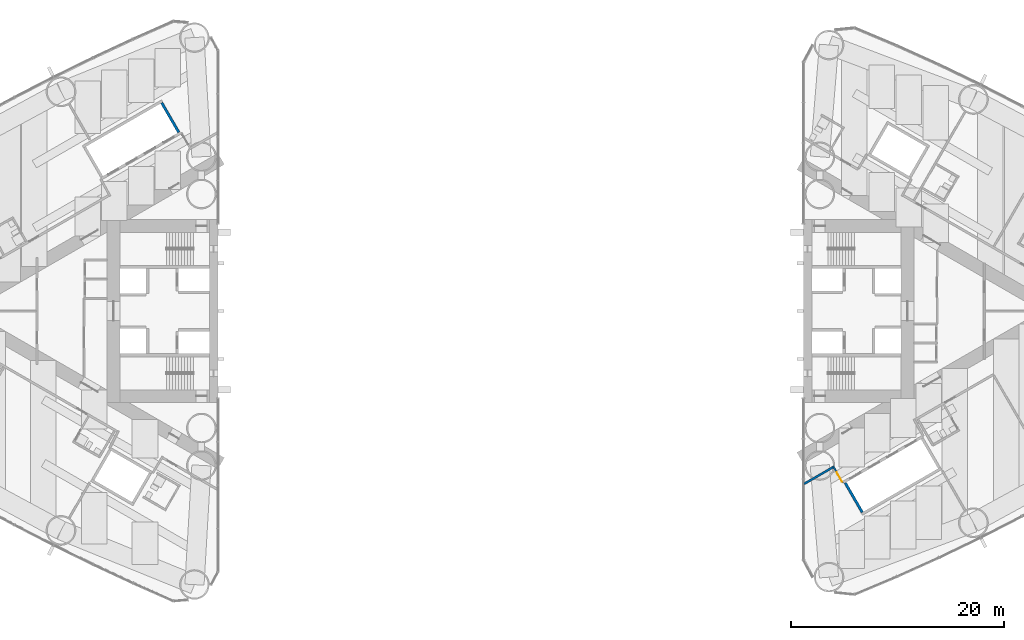
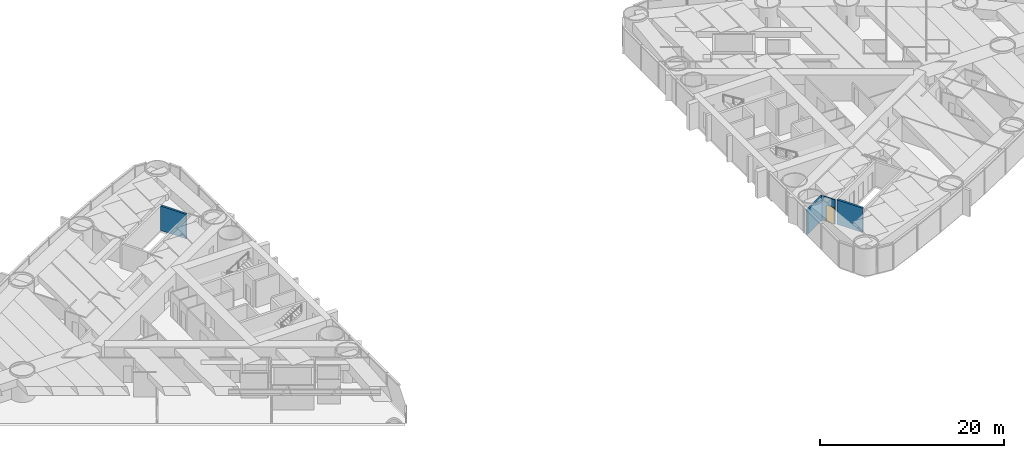
# One storey, part 13 of 19: 4 walls, 1 door, 1 opening.
"""IFC4 building model written with IfcOpenShell, lengths in metres."""

import ifcopenshell
import ifcopenshell.guid

model = None  # the IFC model being written
_history = None  # IfcOwnerHistory: only IFC2X3 demands one
_inside = {}  # id of a spatial element -> (the spatial element, [elements in it])
_under = {}  # id of a project, library or spatial element -> (it, [spatial elements below it])
_declared = {}  # id of a project -> (the project, [libraries it declares])
_typed = {}  # id of a type object -> (the type object, [elements of that type])
_made_of = {}  # id of a material, layer set ... -> (it, [elements and type objects made of it])


def new_model(schema):
    """Start an empty IFC model of exactly this schema.

    Asked for "IFC4X3", IfcOpenShell would pick the latest addendum, in which some entities
    have other attributes; the version numbers below select the first issue.
    IFC2X3 requires an IfcOwnerHistory on every rooted entity: one is made here for all.
    """
    global model, _history
    if schema == "IFC4X3":
        model = ifcopenshell.file(schema_version=(4, 3, 0, 0))
    else:
        model = ifcopenshell.file(schema=schema)
    _inside.clear()
    _under.clear()
    _declared.clear()
    _typed.clear()
    _made_of.clear()
    _history = None
    if model.schema == "IFC2X3":
        org = make("IfcOrganization", Name="unknown")
        user = make(
            "IfcPersonAndOrganization",
            ThePerson=make("IfcPerson", FamilyName="unknown"),
            TheOrganization=org,
        )
        app = make(
            "IfcApplication",
            ApplicationDeveloper=org,
            Version="unknown",
            ApplicationFullName="unknown",
            ApplicationIdentifier="unknown",
        )
        _history = make(
            "IfcOwnerHistory",
            OwningUser=user,
            OwningApplication=app,
            ChangeAction="ADDED",
            CreationDate=0,
        )
    return model


def make(cls, **values):
    """One entity of the class cls with the attributes given. An attribute that is None is left unset."""
    return model.create_entity(
        cls, **{name: value for name, value in values.items() if value is not None}
    )


def rooted(cls, **values):
    """An entity with a GlobalId (a new one), such as an element, a storey or a relation."""
    return make(cls, GlobalId=ifcopenshell.guid.new(), OwnerHistory=_history, **values)


def si_unit(unit_type, name, prefix=None):
    """IfcSIUnit, for example si_unit("LENGTHUNIT", "METRE", prefix="MILLI")."""
    return make("IfcSIUnit", UnitType=unit_type, Prefix=prefix, Name=name)


def assignment(units):
    """IfcUnitAssignment: the units of a project."""
    return None if units is None else make("IfcUnitAssignment", Units=units)


def point(xyz):
    """IfcCartesianPoint."""
    return None if xyz is None else make("IfcCartesianPoint", Coordinates=xyz)


def direction(xyz):
    """IfcDirection."""
    return None if xyz is None else make("IfcDirection", DirectionRatios=xyz)


def frame(location, z_axis=None, x_axis=None):
    """IfcAxis2Placement3D, a coordinate frame: its origin and axes. An axis left out is left unset."""
    return make(
        "IfcAxis2Placement3D",
        Location=point(location),
        Axis=direction(z_axis),
        RefDirection=direction(x_axis),
    )


def frame_2d(location, x_axis=None):
    """IfcAxis2Placement2D, a coordinate frame in the plane: its origin and x axis."""
    return make(
        "IfcAxis2Placement2D", Location=point(location), RefDirection=direction(x_axis)
    )


def origin():
    """The frame at (0, 0, 0) with its axes left unset."""
    return frame((0.0, 0.0, 0.0))


def place(relative_to, where):
    """IfcLocalPlacement: puts the frame where relative to a parent placement (None: the world)."""
    return make(
        "IfcLocalPlacement", PlacementRelTo=relative_to, RelativePlacement=where
    )


def context(
    kind, dimensions, precision=None, world=None, true_north=None, identifier=None
):
    """IfcGeometricRepresentationContext, for example the 3D "Model" context."""
    return make(
        "IfcGeometricRepresentationContext",
        ContextIdentifier=identifier,
        ContextType=kind,
        CoordinateSpaceDimension=dimensions,
        Precision=precision,
        WorldCoordinateSystem=world,
        TrueNorth=true_north,
    )


def subcontext(parent, identifier, kind, view, scale=None):
    """IfcGeometricRepresentationSubContext, for example "Body" below "Model"."""
    return make(
        "IfcGeometricRepresentationSubContext",
        ContextIdentifier=identifier,
        ContextType=kind,
        ParentContext=parent,
        TargetScale=scale,
        TargetView=view,
    )


def project(units=None, contexts=None):
    """IfcProject with its units and contexts."""
    return rooted(
        "IfcProject",
        Name="project",
        RepresentationContexts=contexts,
        UnitsInContext=assignment(units),
    )


def spatial(cls, under=None, at=None, **own):
    """A site, building, storey or space (cls), placed at a placement, below another one or the project."""
    s = rooted(cls, ObjectPlacement=at, **own)
    if under is not None:
        _under.setdefault(under.id(), (under, []))[1].append(s)
    return s


def profile(cls, at=None, kind="AREA", **sizes):
    """A parametric profile (cls). Its sizes go by their IFC names, for example OverallWidth=200.0."""
    return make(cls, ProfileType=kind, Position=at, **sizes)


def rectangle(**sizes):
    """IfcRectangleProfileDef."""
    return profile("IfcRectangleProfileDef", **sizes)


def extrude(swept, where, along, depth):
    """IfcExtrudedAreaSolid: the profile swept, set in the frame where, extruded along a direction by depth."""
    return make(
        "IfcExtrudedAreaSolid",
        SweptArea=swept,
        Position=where,
        ExtrudedDirection=direction(along),
        Depth=depth,
    )


def shape(context_of_items, identifier, shape_type, items):
    """IfcShapeRepresentation: the items that make up one representation, for example the "Body"."""
    return make(
        "IfcShapeRepresentation",
        ContextOfItems=context_of_items,
        RepresentationIdentifier=identifier,
        RepresentationType=shape_type,
        Items=items,
    )


def material(Name=None, Category=None):
    """IfcMaterial."""
    return make("IfcMaterial", Name=Name, Category=Category)


def layer(
    of_material, thickness, ventilated=None, Name=None, Category=None, Priority=None
):
    """IfcMaterialLayer: one layer of a wall or slab, of a material (None: an air gap)."""
    return make(
        "IfcMaterialLayer",
        Material=of_material,
        LayerThickness=thickness,
        IsVentilated=ventilated,
        Name=Name,
        Category=Category,
        Priority=Priority,
    )


def layer_set(layers, Name=None):
    """IfcMaterialLayerSet."""
    return make("IfcMaterialLayerSet", MaterialLayers=layers, LayerSetName=Name)


def made_of(thing, what):
    """Note that an element or type object is made of a material, layer set ...; save() writes the relation."""
    if what is not None:
        _made_of.setdefault(what.id(), (what, []))[1].append(thing)
    return thing


def type_object(cls, material=None, **own):
    """A type object (cls), such as IfcWallType, which elements share."""
    return made_of(rooted(cls, **own), material)


def element(
    cls,
    number,
    at=None,
    inside=None,
    cuts=None,
    type_object=None,
    material=None,
    context=None,
    identifier="Body",
    shape_type=None,
    held_by="IfcProductDefinitionShape",
    body=None,
    shapes=None,
    **own,
):
    """One element of the class cls, such as IfcWall. Its Tag is "e" and its number.

    at: its placement. inside: the storey or other place that contains it. cuts: it is an
    opening in that element (IfcRelVoidsElement). A single representation is given by context,
    identifier, shape_type and body (its items); several are given by shapes. held_by: the class
    of the entity that holds the representations. save() writes the other relations.
    """
    e = rooted(cls, Tag="e%d" % number, ObjectPlacement=at, **own)
    if body is not None:
        shapes = [shape(context, identifier, shape_type, body)]
    if shapes is not None:
        e.Representation = make(held_by, Representations=shapes)
    if inside is not None:
        _inside.setdefault(inside.id(), (inside, []))[1].append(e)
    if cuts is not None:
        rooted(
            "IfcRelVoidsElement", RelatingBuildingElement=cuts, RelatedOpeningElement=e
        )
    if type_object is not None:
        _typed.setdefault(type_object.id(), (type_object, []))[1].append(e)
    return made_of(e, material)


def fill(opening, filler):
    """IfcRelFillsElement: the door or window that sits in an opening."""
    return rooted(
        "IfcRelFillsElement",
        RelatingOpeningElement=opening,
        RelatedBuildingElement=filler,
    )


def aggregate(whole, parts):
    """IfcRelAggregates: a whole, such as a stair, and the parts it consists of."""
    return rooted("IfcRelAggregates", RelatingObject=whole, RelatedObjects=parts)


def save(model, path):
    """Write the relations noted so far, then the file.

    IfcRelAggregates (storeys below a building ...), IfcRelContainedInSpatialStructure (elements
    in a storey), IfcRelDefinesByType, IfcRelAssociatesMaterial and IfcRelDeclares: one each for
    every whole, place, type object, material and project.
    """
    for whole, parts in _under.values():
        aggregate(whole, parts)
    for where, things in _inside.values():
        rooted(
            "IfcRelContainedInSpatialStructure",
            RelatedElements=things,
            RelatingStructure=where,
        )
    for kind, things in _typed.values():
        rooted("IfcRelDefinesByType", RelatedObjects=things, RelatingType=kind)
    for what, things in _made_of.values():
        rooted("IfcRelAssociatesMaterial", RelatedObjects=things, RelatingMaterial=what)
    for by, libraries in _declared.values():
        rooted("IfcRelDeclares", RelatingContext=by, RelatedDefinitions=libraries)
    model.write(path)


model = new_model("IFC4")

# Units and contexts
model_context = context("Model", 3, precision=1e-05, world=origin(), true_north=direction((0.0, 1.0)))
body_context = subcontext(model_context, "Body", "Model", "MODEL_VIEW")
ifc_project = project(units=[si_unit("LENGTHUNIT", "METRE"), si_unit("AREAUNIT", "SQUARE_METRE"), si_unit("VOLUMEUNIT", "CUBIC_METRE"), si_unit("PLANEANGLEUNIT", "RADIAN"), si_unit("MASSUNIT", "GRAM", prefix="KILO")], contexts=[model_context])

# Site, building, storey
site_placement = place(None, origin())
site = spatial("IfcSite", under=ifc_project, at=site_placement, CompositionType="ELEMENT")
building_placement = place(site_placement, origin())
building = spatial("IfcBuilding", under=site, at=building_placement, Name="Lancet Gate Hotel", CompositionType="ELEMENT")
storey_placement = place(building_placement, frame((0.0, 0.0, 21.5)))
storey = spatial("IfcBuildingStorey", under=building, at=storey_placement, Name="L04", CompositionType="ELEMENT", Elevation=21.5)

# Walls
ifc_material_1 = material(Name="Gypsum board partition")
ifc_layer_1 = layer(ifc_material_1, 0.199951171875)
ifc_layer_set_1 = layer_set([ifc_layer_1], Name="Corridor wall 200")
wall_type_1 = type_object("IfcWallType", Name="Corridor wall 200", PredefinedType="PARTITIONING", material=ifc_layer_set_1)
wall_1_placement = place(storey_placement, frame((27.572021484375, -16.240966796875, 0.0), z_axis=(0.0, 0.0, 1.0), x_axis=(0.866029654818, 0.499992636921, 0.0)))
element("IfcWall", 1, at=wall_1_placement, inside=storey, type_object=wall_type_1, Name="T2 corridor wall 200 L04", PredefinedType="PARTITIONING", context=body_context, shape_type="SweptSolid", body=[
    extrude(rectangle(XDim=3.15478515625, YDim=0.199951171875, at=frame_2d((1.577392578125, 0.0))), origin(), (0.0, 0.0, 1.0), 3.25),
])
ifc_material_2 = material(Name="Gypsum board partition")
ifc_layer_2 = layer(ifc_material_2, 0.25)
ifc_layer_set_2 = layer_set([ifc_layer_2], Name="Lift shaft partition 250")
wall_type_2 = type_object("IfcWallType", Name="Lift shaft partition 250", PredefinedType="PARTITIONING", material=ifc_layer_set_2)
for number, where, z_axis, x_axis, name in (
    (2, (-31.18115234375, 16.79296875, 0.0), (0.0, 0.0, 1.0), (-0.499929347863, 0.866066190972, 0.0), "T1 lift shaft wall LR L04"),
    (3, (31.441162109375, -16.14306640625, 0.0), (0.0, 0.0, 1.0), (0.499929347863, -0.866066190972, 0.0), "T2 lift shaft wall LR L04"),
):
    element("IfcWall", number, at=place(storey_placement, frame(where, z_axis=z_axis, x_axis=x_axis)), inside=storey, type_object=wall_type_2, Name=name, PredefinedType="PARTITIONING", context=body_context, shape_type="SweptSolid", body=[
        extrude(rectangle(XDim=3.20068359375, YDim=0.25, at=frame_2d((1.600341796875, 0.0))), origin(), (0.0, 0.0, 1.0), 3.25),
    ])

# Wall, opening, door
ifc_material_3 = material(Name="Gypsum board partition")
ifc_layer_3 = layer(ifc_material_3, 0.14990234375)
ifc_layer_set_3 = layer_set([ifc_layer_3], Name="Service room wall 150")
wall_type_3 = type_object("IfcWallType", Name="Service room wall 150", PredefinedType="PARTITIONING", material=ifc_layer_set_3)
wall_2_placement = place(storey_placement, frame((30.293212890625, -14.554443359375, 0.0), z_axis=(0.0, 0.0, 1.0), x_axis=(0.499980071345, -0.866036909293, 0.0)))
wall_2 = element("IfcWall", 4, at=wall_2_placement, inside=storey, type_object=wall_type_3, Name="T2 service room wall 150 L04", PredefinedType="PARTITIONING", context=body_context, shape_type="SweptSolid", body=[
    extrude(rectangle(XDim=1.8046875, YDim=0.14990234375, at=frame_2d((0.90234375, 0.0))), origin(), (0.0, 0.0, 1.0), 3.25),
])
opening_placement = place(wall_2_placement, frame((0.701904296875, 0.0, 0.0)))
opening = element("IfcOpeningElement", 5, at=opening_placement, cuts=wall_2, Name="Opening T2-L04-LO1", PredefinedType="OPENING", context=body_context, shape_type="SweptSolid", body=[
    extrude(rectangle(XDim=1.0, YDim=2.199951171875, at=frame_2d((0.5, 1.10009765625))), frame((0.0, 0.0849609375, 0.0), z_axis=(0.0, -1.0, 0.0), x_axis=(1.0, 0.0, 0.0)), (0.0, 0.0, 1.0), 0.169921875),
])
ifc_material_4 = material(Name="Timber door set", Category="wood")
door_type = type_object("IfcDoorType", Name="Service door 1000", OperationType="SINGLE_SWING_LEFT", PredefinedType="DOOR", material=ifc_material_4)
door_placement = place(opening_placement, origin())
door = element("IfcDoor", 6, at=door_placement, inside=storey, type_object=door_type, Name="T2-L04-LO1", OperationType="SINGLE_SWING_LEFT", OverallHeight=2.199951171875, OverallWidth=1.0, PredefinedType="DOOR", context=body_context, shape_type="SweptSolid", body=[
    extrude(rectangle(XDim=1.0, YDim=2.199951171875, at=frame_2d((0.5, 1.10009765625))), frame((0.0, 0.02490234375, 0.0), z_axis=(0.0, -1.0, 0.0), x_axis=(1.0, 0.0, 0.0)), (0.0, 0.0, 1.0), 0.050048828125),
])
fill(opening, door)

save(model, "model.ifc")
